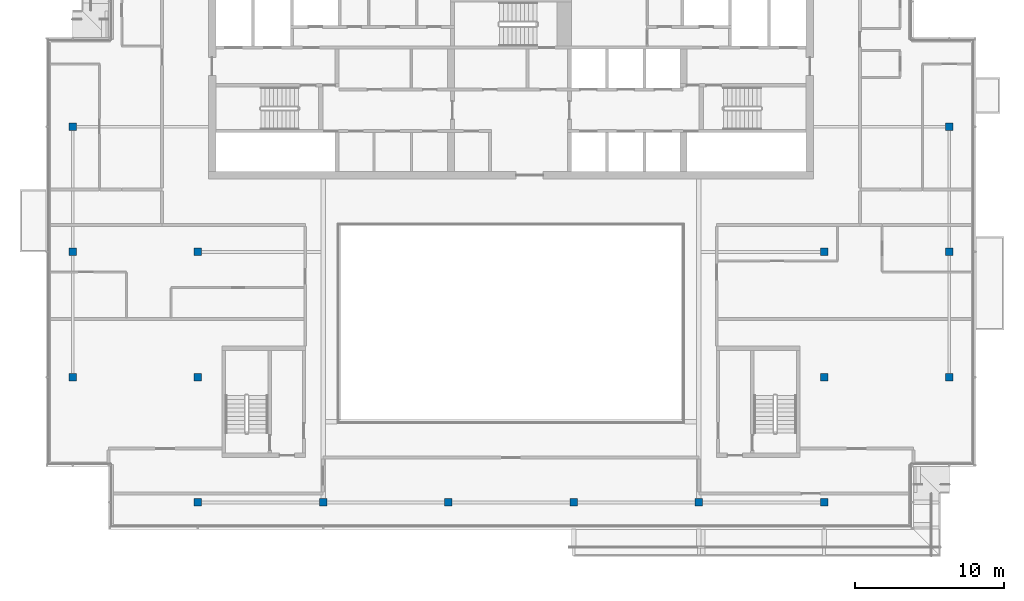
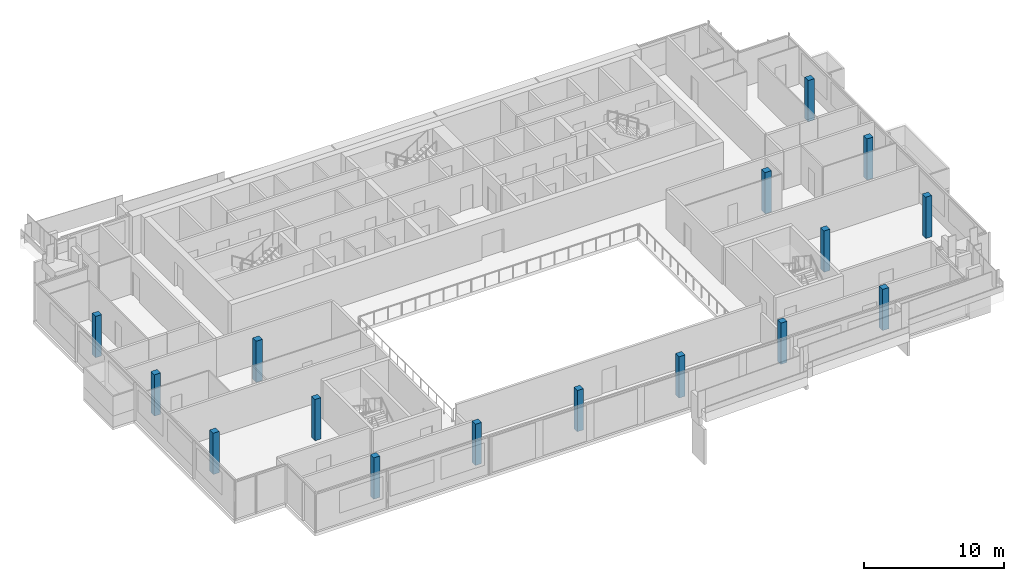
# One storey, part 1 of 21: 16 columns.
"""IFC4 building model written with IfcOpenShell, lengths in metres."""

from ifc_helpers import new_model, si_unit, direction, frame, origin, origin_2d, place, context, subcontext, project, spatial, rectangle, extrude, material, material_profile, profile_set, type_object, element, save


model = new_model("IFC4")

# Units and contexts
model_context = context("Model", 3, precision=1e-05, world=origin(), true_north=direction((0.0, 1.0)))
body_context = subcontext(model_context, "Body", "Model", "MODEL_VIEW")
ifc_project = project(units=[si_unit("LENGTHUNIT", "METRE"), si_unit("AREAUNIT", "SQUARE_METRE"), si_unit("VOLUMEUNIT", "CUBIC_METRE"), si_unit("PLANEANGLEUNIT", "RADIAN"), si_unit("MASSUNIT", "GRAM", prefix="KILO")], contexts=[model_context])

# Site, building, storey
site_placement = place(None, origin())
site = spatial("IfcSite", under=ifc_project, at=site_placement, CompositionType="ELEMENT")
building_placement = place(site_placement, origin())
building = spatial("IfcBuilding", under=site, at=building_placement, Name="Saffron Gate Tower", CompositionType="ELEMENT")
storey_placement = place(building_placement, frame((0.0, 0.0, 288.75)))
storey = spatial("IfcBuildingStorey", under=building, at=storey_placement, Name="L70", CompositionType="ELEMENT", Elevation=288.75)

# Columns
ifc_material = material(Name="Concrete C40", Category="concrete")
ifc_material_profile = material_profile(ifc_material, rectangle(XDim=0.5, YDim=0.5, at=origin_2d()))
ifc_profile_set = profile_set([ifc_material_profile], Name="Concrete C40")
column_type = type_object("IfcColumnType", Name="C1 RC 500x500 CONCRETE C40", PredefinedType="COLUMN", material=ifc_profile_set)
for number, where, z_axis, x_axis, name in (
    (1, (58.199951171875, 48.60009765625, 0.0), (0.0, 0.0, 1.0), (1.0, 0.0, 0.0), "C1 COLUMN X2-C"),
    (2, (58.199951171875, 57.0, 0.0), (0.0, 0.0, 1.0), (1.0, 0.0, 0.0), "C1 COLUMN X2-D"),
    (3, (58.199951171875, 65.39990234375, 0.0), (0.0, 0.0, 1.0), (1.0, 0.0, 0.0), "C1 COLUMN X2-E"),
    (4, (66.60009765625, 40.199951171875, 0.0), (0.0, 0.0, 1.0), (1.0, 0.0, 0.0), "C1 COLUMN X3-B"),
    (5, (66.60009765625, 48.60009765625, 0.0), (0.0, 0.0, 1.0), (1.0, 0.0, 0.0), "C1 COLUMN X3-C"),
    (6, (66.60009765625, 57.0, 0.0), (0.0, 0.0, 1.0), (1.0, 0.0, 0.0), "C1 COLUMN X3-D"),
    (7, (75.0, 40.199951171875, 0.0), (0.0, 0.0, 1.0), (1.0, 0.0, 0.0), "C1 COLUMN X4-B"),
    (8, (83.39990234375, 40.199951171875, 0.0), (0.0, 0.0, 1.0), (1.0, 0.0, 0.0), "C1 COLUMN X5-B"),
    (9, (91.800048828125, 40.199951171875, 0.0), (0.0, 0.0, 1.0), (1.0, 0.0, 0.0), "C1 COLUMN X6-B"),
    (10, (100.199951171875, 40.199951171875, 0.0), (0.0, 0.0, 1.0), (1.0, 0.0, 0.0), "C1 COLUMN X7-B"),
    (11, (108.60009765625, 40.199951171875, 0.0), (0.0, 0.0, 1.0), (1.0, 0.0, 0.0), "C1 COLUMN X8-B"),
    (12, (108.60009765625, 48.60009765625, 0.0), (0.0, 0.0, 1.0), (1.0, 0.0, 0.0), "C1 COLUMN X8-C"),
    (13, (108.60009765625, 57.0, 0.0), (0.0, 0.0, 1.0), (1.0, 0.0, 0.0), "C1 COLUMN X8-D"),
    (14, (117.0, 48.60009765625, 0.0), (0.0, 0.0, 1.0), (1.0, 0.0, 0.0), "C1 COLUMN X9-C"),
    (15, (117.0, 57.0, 0.0), (0.0, 0.0, 1.0), (1.0, 0.0, 0.0), "C1 COLUMN X9-D"),
    (16, (117.0, 65.39990234375, 0.0), (0.0, 0.0, 1.0), (1.0, 0.0, 0.0), "C1 COLUMN X9-E"),
):
    element("IfcColumn", number, at=place(storey_placement, frame(where, z_axis=z_axis, x_axis=x_axis)), inside=storey, type_object=column_type, Name=name, PredefinedType="COLUMN", context=body_context, shape_type="SweptSolid", body=[
        extrude(rectangle(XDim=0.5, YDim=0.5, at=origin_2d()), origin(), (0.0, 0.0, 1.0), 3.60009765625),
    ])

save(model, "model.ifc")
